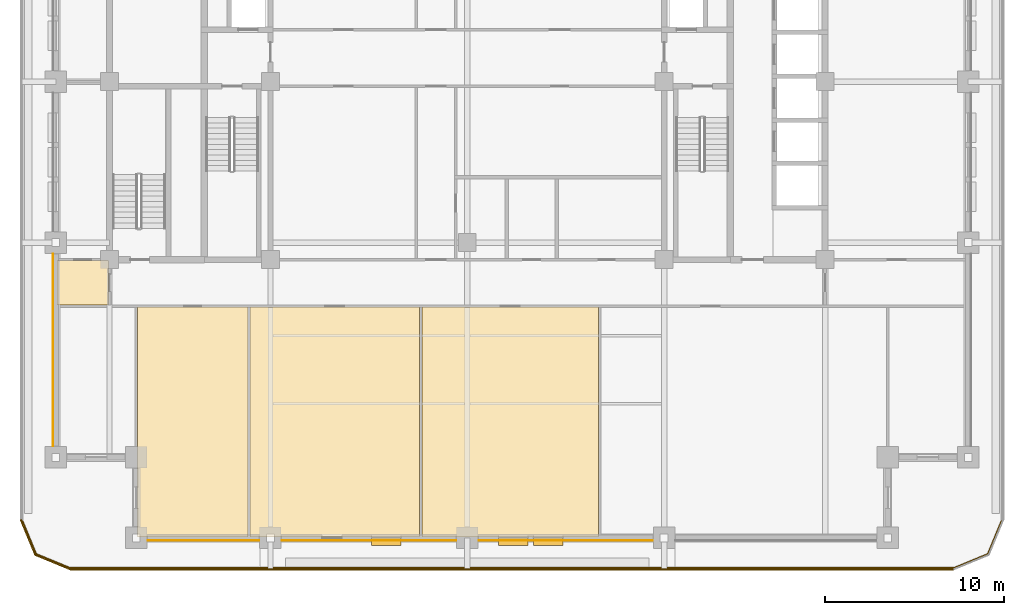
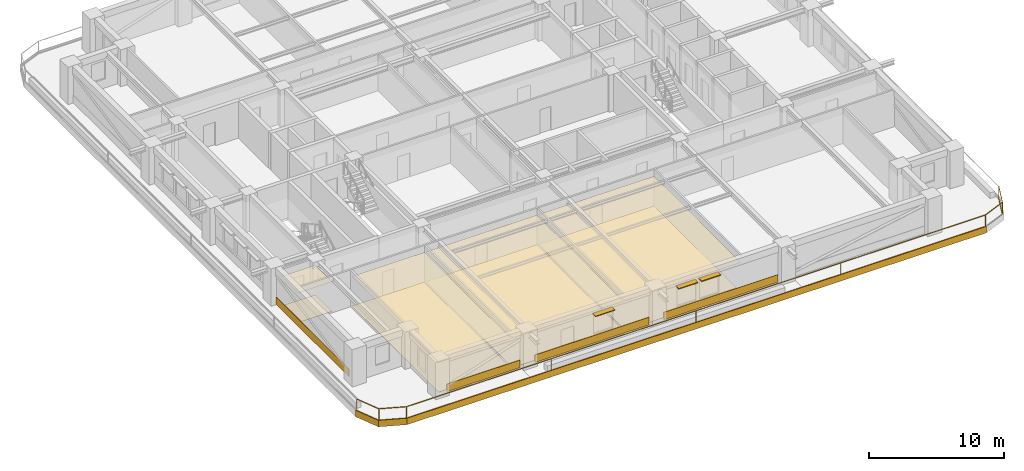
# One storey, part 7 of 13: 15 coverings, 3 shading devices, 1 railing.
"""IFC4 building model written with IfcOpenShell, lengths in metres."""

from ifc_helpers import new_model, si_unit, direction, frame, frame_2d, origin, origin_2d, place, context, subcontext, project, spatial, polyline, rectangle, outline, extrude, material, layer, layer_set, type_object, element, save


model = new_model("IFC4")

# Units and contexts
model_context = context("Model", 3, precision=1e-05, world=origin(), true_north=direction((0.0, 1.0)))
body_context = subcontext(model_context, "Body", "Model", "MODEL_VIEW")
ifc_project = project(units=[si_unit("LENGTHUNIT", "METRE"), si_unit("AREAUNIT", "SQUARE_METRE"), si_unit("VOLUMEUNIT", "CUBIC_METRE"), si_unit("PLANEANGLEUNIT", "RADIAN"), si_unit("MASSUNIT", "GRAM", prefix="KILO")], contexts=[model_context])

# Site, building, storey
site_placement = place(None, origin())
site = spatial("IfcSite", under=ifc_project, at=site_placement, CompositionType="ELEMENT")
building_placement = place(site_placement, origin())
building = spatial("IfcBuilding", under=site, at=building_placement, Name="Zulmaris Gate Convention Tower", CompositionType="ELEMENT")
storey_placement = place(building_placement, frame((0.0, 0.0, 91.35986328125)))
storey = spatial("IfcBuildingStorey", under=building, at=storey_placement, Name="L22", CompositionType="ELEMENT", Elevation=91.35986328125)

# Coverings
ifc_material_1 = material(Name="Precast concrete C40/50", Category="concrete")
ifc_layer_1 = layer(ifc_material_1, 0.0400390625, Name="Precast concrete C40/50")
ifc_layer_set_1 = layer_set([ifc_layer_1], Name="Precast concrete C40/50")
covering_type_1 = type_object("IfcCoveringType", Name="CLAD-SPANDREL-PRECAST", PredefinedType="CLADDING", material=ifc_layer_set_1)
covering_1_placement = place(storey_placement, frame((-17.8701171875, -25.64990234375, 0.0), z_axis=(0.0, 0.0, 1.0), x_axis=(1.0, 0.0, 0.0)))
element("IfcCovering", 1, at=covering_1_placement, inside=storey, type_object=covering_type_1, Name="CLD-L22-S-0_0", PredefinedType="CLADDING", context=body_context, shape_type="SweptSolid", body=[
    extrude(rectangle(XDim=6.240234375, YDim=0.0400390625, at=frame_2d((3.1201171875, 0.0))), origin(), (0.0, 0.0, 1.0), 0.679931640625),
])
for number, where, z_axis, x_axis, name in (
    (2, (-10.3701171875, -25.64990234375, 0.0), (0.0, 0.0, 1.0), (1.0, 0.0, 0.0), "CLD-L22-S-1_0"),
    (3, (0.6298828125, -25.64990234375, 0.0), (0.0, 0.0, 1.0), (1.0, 0.0, 0.0), "CLD-L22-S-2_0"),
):
    element("IfcCovering", number, at=place(storey_placement, frame(where, z_axis=z_axis, x_axis=x_axis)), inside=storey, type_object=covering_type_1, Name=name, PredefinedType="CLADDING", context=body_context, shape_type="SweptSolid", body=[
        extrude(rectangle(XDim=9.740234375, YDim=0.0400390625, at=frame_2d((4.8701171875, 0.0))), origin(), (0.0, 0.0, 1.0), 0.679931640625),
    ])
covering_2_placement = place(storey_placement, frame((-23.14990234375, -9.6298828125, 0.0), z_axis=(0.0, 0.0, 1.0), x_axis=(0.0, -1.0, 0.0)))
element("IfcCovering", 4, at=covering_2_placement, inside=storey, type_object=covering_type_1, Name="CLD-L22-W-0_0", PredefinedType="CLADDING", context=body_context, shape_type="SweptSolid", body=[
    extrude(rectangle(XDim=10.740234375, YDim=0.0400390625, at=frame_2d((5.3701171875, 0.0))), origin(), (0.0, 0.0, 1.0), 0.679931640625),
])
ifc_material_2 = material(Name="White Glazed Architectural Precast Concrete C40/50", Category="concrete")
ifc_layer_2 = layer(ifc_material_2, 0.080078125, Name="White Glazed Architectural Precast Concrete C40/50")
ifc_layer_set_2 = layer_set([ifc_layer_2], Name="White Glazed Architectural Precast Concrete C40/50")
covering_type_2 = type_object("IfcCoveringType", Name="CLAD-TRAY-FASCIA", PredefinedType="CLADDING", material=ifc_layer_set_2)
covering_3_placement = place(storey_placement, frame((-24.962890625, -24.484619140625, -0.46484375), z_axis=(0.0, 0.0, 1.0), x_axis=(0.382656984709, -0.923890487046, 0.0)))
element("IfcCovering", 5, at=covering_3_placement, inside=storey, type_object=covering_type_2, Name="FSC-L22-TR-00", PredefinedType="CLADDING", context=body_context, shape_type="SweptSolid", body=[
    extrude(rectangle(XDim=2.14306640625, YDim=0.080078125, at=frame_2d((1.071533203125, 0.0))), origin(), (0.0, 0.0, 1.0), 0.5849609375),
])
covering_4_placement = place(storey_placement, frame((-24.16455078125, -26.44287109375, -0.46484375), z_axis=(0.0, 0.0, 1.0), x_axis=(0.923873803533, -0.382697263049, 0.0)))
element("IfcCovering", 6, at=covering_4_placement, inside=storey, type_object=covering_type_2, Name="FSC-L22-TR-01", PredefinedType="CLADDING", context=body_context, shape_type="SweptSolid", body=[
    extrude(rectangle(XDim=2.142822265625, YDim=0.080078125, at=frame_2d((1.0712890625, 0.0))), origin(), (0.0, 0.0, 1.0), 0.5849609375),
])
covering_5_placement = place(storey_placement, frame((-22.199951171875, -27.260009765625, -0.46484375), z_axis=(0.0, 0.0, 1.0), x_axis=(1.0, 0.0, 0.0)))
element("IfcCovering", 7, at=covering_5_placement, inside=storey, type_object=covering_type_2, Name="FSC-L22-TR-02", PredefinedType="CLADDING", context=body_context, shape_type="SweptSolid", body=[
    extrude(rectangle(XDim=49.39990234375, YDim=0.080078125, at=frame_2d((24.699951171875, 0.0))), origin(), (0.0, 0.0, 1.0), 0.5849609375),
])
ifc_material_3 = material(Name="Mineral Fibre Acoustic Ceiling Tile")
ifc_layer_3 = layer(ifc_material_3, 0.02001953125, Name="Mineral Fibre Acoustic Ceiling Tile")
ifc_layer_set_3 = layer_set([ifc_layer_3], Name="Mineral Fibre Acoustic Ceiling Tile")
covering_type_3 = type_object("IfcCoveringType", Name="CLG-ACOUSTIC-600", PredefinedType="CEILING", material=ifc_layer_set_3)
covering_6_placement = place(storey_placement, frame((0.0, 0.0, 2.679931640625)))
element("IfcCovering", 8, at=covering_6_placement, inside=storey, type_object=covering_type_3, Name="CLG-L22-R33", PredefinedType="CEILING", context=body_context, shape_type="SweptSolid", body=[
    extrude(outline(polyline([(-18.43994140625, -25.43994140625), (-12.260009765625, -25.43994140625), (-12.260009765625, -12.610107421875), (-18.43994140625, -12.610107421875), (-18.43994140625, -25.43994140625)])), origin(), (0.0, 0.0, 1.0), 0.02001953125),
])
covering_7_placement = place(storey_placement, frame((0.0, 0.0, 2.679931640625)))
element("IfcCovering", 9, at=covering_7_placement, inside=storey, type_object=covering_type_3, Name="CLG-L22-R34", PredefinedType="CEILING", context=body_context, shape_type="SweptSolid", body=[
    extrude(outline(polyline([(-12.139892578125, -25.43994140625), (-2.659912109375, -25.43994140625), (-2.659912109375, -12.610107421875), (-12.139892578125, -12.610107421875), (-12.139892578125, -25.43994140625)])), origin(), (0.0, 0.0, 1.0), 0.02001953125),
])
covering_8_placement = place(storey_placement, frame((0.0, 0.0, 2.679931640625)))
element("IfcCovering", 10, at=covering_8_placement, inside=storey, type_object=covering_type_3, Name="CLG-L22-R35", PredefinedType="CEILING", context=body_context, shape_type="SweptSolid", body=[
    extrude(outline(polyline([(-2.5400390625, -25.43994140625), (7.340087890625, -25.43994140625), (7.340087890625, -12.610107421875), (-2.5400390625, -12.610107421875), (-2.5400390625, -25.43994140625)])), origin(), (0.0, 0.0, 1.0), 0.02001953125),
])
covering_9_placement = place(storey_placement, frame((0.0, 0.0, 2.679931640625)))
element("IfcCovering", 11, at=covering_9_placement, inside=storey, type_object=covering_type_3, Name="CLG-L22-R45", PredefinedType="CEILING", context=body_context, shape_type="SweptSolid", body=[
    extrude(outline(polyline([(-22.93994140625, -12.489990234375), (-20.06005859375, -12.489990234375), (-20.06005859375, -10.010009765625), (-22.93994140625, -10.010009765625), (-22.93994140625, -12.489990234375)])), origin(), (0.0, 0.0, 1.0), 0.02001953125),
])
ifc_material_4 = material(Name="Woven Acoustic Wool Carpet Tile")
ifc_layer_4 = layer(ifc_material_4, 0.02001953125, Name="Woven Acoustic Wool Carpet Tile")
ifc_layer_set_4 = layer_set([ifc_layer_4], Name="Woven Acoustic Wool Carpet Tile")
covering_type_4 = type_object("IfcCoveringType", Name="FLR-CARPET-12", PredefinedType="FLOORING", material=ifc_layer_set_4)
covering_10_placement = place(storey_placement, origin())
element("IfcCovering", 12, at=covering_10_placement, inside=storey, type_object=covering_type_4, Name="FLR-L22-R34", PredefinedType="FLOORING", context=body_context, shape_type="SweptSolid", body=[
    extrude(outline(polyline([(-12.139892578125, -25.43994140625), (-2.659912109375, -25.43994140625), (-2.659912109375, -12.610107421875), (-12.139892578125, -12.610107421875), (-12.139892578125, -25.43994140625)])), origin(), (0.0, 0.0, 1.0), 0.02001953125),
])
covering_11_placement = place(storey_placement, origin())
element("IfcCovering", 13, at=covering_11_placement, inside=storey, type_object=covering_type_4, Name="FLR-L22-R35", PredefinedType="FLOORING", context=body_context, shape_type="SweptSolid", body=[
    extrude(outline(polyline([(-2.5400390625, -25.43994140625), (7.340087890625, -25.43994140625), (7.340087890625, -12.610107421875), (-2.5400390625, -12.610107421875), (-2.5400390625, -25.43994140625)])), origin(), (0.0, 0.0, 1.0), 0.02001953125),
])
covering_12_placement = place(storey_placement, origin())
element("IfcCovering", 14, at=covering_12_placement, inside=storey, type_object=covering_type_4, Name="FLR-L22-R45", PredefinedType="FLOORING", context=body_context, shape_type="SweptSolid", body=[
    extrude(outline(polyline([(-22.93994140625, -12.489990234375), (-20.06005859375, -12.489990234375), (-20.06005859375, -10.010009765625), (-22.93994140625, -10.010009765625), (-22.93994140625, -12.489990234375)])), origin(), (0.0, 0.0, 1.0), 0.02001953125),
])
ifc_material_5 = material(Name="Engineered Teak Parquet Flooring")
ifc_layer_5 = layer(ifc_material_5, 0.02001953125, Name="Engineered Teak Parquet Flooring")
ifc_layer_set_5 = layer_set([ifc_layer_5], Name="Engineered Teak Parquet Flooring")
covering_type_5 = type_object("IfcCoveringType", Name="FLR-TIMBER-18", PredefinedType="FLOORING", material=ifc_layer_set_5)
covering_13_placement = place(storey_placement, origin())
element("IfcCovering", 15, at=covering_13_placement, inside=storey, type_object=covering_type_5, Name="FLR-L22-R33", PredefinedType="FLOORING", context=body_context, shape_type="SweptSolid", body=[
    extrude(outline(polyline([(-18.43994140625, -25.43994140625), (-12.260009765625, -25.43994140625), (-12.260009765625, -12.610107421875), (-18.43994140625, -12.610107421875), (-18.43994140625, -25.43994140625)])), origin(), (0.0, 0.0, 1.0), 0.02001953125),
])

# Railing
ifc_material_6 = material(Name="Laminated Glass and Stainless Steel", Category="steel")
railing_type = type_object("IfcRailingType", Name="RL-BALC-1150", PredefinedType="BALUSTRADE", material=ifc_material_6)
railing_placement = place(storey_placement, frame((-24.8798828125, -24.5, -0.0400390625)))
element("IfcRailing", 16, at=railing_placement, inside=storey, type_object=railing_type, Name="RL-L22-BALC-S", PredefinedType="BALUSTRADE", context=body_context, shape_type="SweptSolid", body=[
    extrude(rectangle(XDim=0.048095703125, YDim=0.048095703125, at=origin_2d()), frame((0.0, 0.0, 1.1259765625), z_axis=(0.382670664694, -0.92388482095, 0.0), x_axis=(0.92388482095, 0.382670664694, 0.0)), (0.0, 0.0, 1.0), 2.051025390625),
    extrude(rectangle(XDim=0.048095703125, YDim=0.048095703125, at=origin_2d()), frame((0.0, 0.0, 0.02392578125), z_axis=(0.382670664694, -0.92388482095, 0.0), x_axis=(0.92388482095, 0.382670664694, 0.0)), (0.0, 0.0, 1.0), 2.051025390625),
    extrude(rectangle(XDim=0.048095703125, YDim=0.048095703125, at=origin_2d()), frame((0.784912109375, -1.89501953125, 1.1259765625), z_axis=(0.92388482095, -0.382670664694, 0.0), x_axis=(0.382670664694, 0.92388482095, 0.0)), (0.0, 0.0, 1.0), 2.051025390625),
    extrude(rectangle(XDim=0.048095703125, YDim=0.048095703125, at=origin_2d()), frame((0.784912109375, -1.89501953125, 0.02392578125), z_axis=(0.92388482095, -0.382670664694, 0.0), x_axis=(0.382670664694, 0.92388482095, 0.0)), (0.0, 0.0, 1.0), 2.051025390625),
    extrude(rectangle(XDim=0.048095703125, YDim=0.048095703125, at=origin_2d()), frame((2.679931640625, -2.679931640625, 1.1259765625), z_axis=(1.0, 0.0, 0.0), x_axis=(0.0, 1.0, 0.0)), (0.0, 0.0, 1.0), 49.39990234375),
    extrude(rectangle(XDim=0.048095703125, YDim=0.048095703125, at=origin_2d()), frame((2.679931640625, -2.679931640625, 0.02392578125), z_axis=(1.0, 0.0, 0.0), x_axis=(0.0, 1.0, 0.0)), (0.0, 0.0, 1.0), 49.39990234375),
    extrude(rectangle(XDim=0.048095703125, YDim=0.048095703125, at=origin_2d()), frame((52.079833984375, -2.679931640625, 1.1259765625), z_axis=(0.92388482095, 0.382670664694, 0.0), x_axis=(-0.382670664694, 0.92388482095, 0.0)), (0.0, 0.0, 1.0), 2.051025390625),
    extrude(rectangle(XDim=0.048095703125, YDim=0.048095703125, at=origin_2d()), frame((52.079833984375, -2.679931640625, 0.02392578125), z_axis=(0.92388482095, 0.382670664694, 0.0), x_axis=(-0.382670664694, 0.92388482095, 0.0)), (0.0, 0.0, 1.0), 2.051025390625),
    extrude(rectangle(XDim=0.048095703125, YDim=0.048095703125, at=origin_2d()), frame((53.974853515625, -1.89501953125, 1.1259765625), z_axis=(0.382670664694, 0.92388482095, 0.0), x_axis=(-0.92388482095, 0.382670664694, 0.0)), (0.0, 0.0, 1.0), 2.051025390625),
    extrude(rectangle(XDim=0.048095703125, YDim=0.048095703125, at=origin_2d()), frame((53.974853515625, -1.89501953125, 0.02392578125), z_axis=(0.382670664694, 0.92388482095, 0.0), x_axis=(-0.92388482095, 0.382670664694, 0.0)), (0.0, 0.0, 1.0), 2.051025390625),
    extrude(rectangle(XDim=0.0419921875, YDim=0.0419921875, at=origin_2d()), origin(), (0.0, 0.0, 1.0), 1.101806640625),
    extrude(rectangle(XDim=0.0419921875, YDim=0.0419921875, at=origin_2d()), frame((0.784912109375, -1.89501953125, 0.0)), (0.0, 0.0, 1.0), 1.101806640625),
    extrude(rectangle(XDim=0.0419921875, YDim=0.0419921875, at=origin_2d()), frame((2.679931640625, -2.679931640625, 0.0)), (0.0, 0.0, 1.0), 1.101806640625),
    extrude(rectangle(XDim=0.0419921875, YDim=0.0419921875, at=origin_2d()), frame((15.02978515625, -2.679931640625, 0.0)), (0.0, 0.0, 1.0), 1.101806640625),
    extrude(rectangle(XDim=0.0419921875, YDim=0.0419921875, at=origin_2d()), frame((27.3798828125, -2.679931640625, 0.0)), (0.0, 0.0, 1.0), 1.101806640625),
    extrude(rectangle(XDim=0.0419921875, YDim=0.0419921875, at=origin_2d()), frame((39.72998046875, -2.679931640625, 0.0)), (0.0, 0.0, 1.0), 1.101806640625),
    extrude(rectangle(XDim=0.0419921875, YDim=0.0419921875, at=origin_2d()), frame((52.079833984375, -2.679931640625, 0.0)), (0.0, 0.0, 1.0), 1.101806640625),
    extrude(rectangle(XDim=0.0419921875, YDim=0.0419921875, at=origin_2d()), frame((53.974853515625, -1.89501953125, 0.0)), (0.0, 0.0, 1.0), 1.101806640625),
    extrude(rectangle(XDim=0.0419921875, YDim=0.0419921875, at=origin_2d()), frame((54.759765625, 0.0, 0.0)), (0.0, 0.0, 1.0), 1.101806640625),
])

# Shading devices
ifc_material_7 = material(Name="Glazed Ceramic Terracotta", Category="masonry")
ifc_layer_6 = layer(ifc_material_7, 0.070068359375, Name="Glazed Ceramic Terracotta")
ifc_layer_set_6 = layer_set([ifc_layer_6], Name="Glazed Ceramic Terracotta")
shading_device_type = type_object("IfcShadingDeviceType", Name="SHD-SUNSHADE-TC", PredefinedType="AWNING", material=ifc_layer_set_6)
for number, where, z_axis, x_axis, name in (
    (17, (-5.35107421875, -25.719970703125, 2.530029296875), (0.0, 0.0, 1.0), (1.0, 0.0, 0.0), "SHD-EW-L22-S-1_0-3"),
    (18, (1.7529296875, -25.719970703125, 2.530029296875), (0.0, 0.0, 1.0), (1.0, 0.0, 0.0), "SHD-EW-L22-S-2_0-1"),
    (19, (3.700927734375, -25.719970703125, 2.530029296875), (0.0, 0.0, 1.0), (1.0, 0.0, 0.0), "SHD-EW-L22-S-2_0-2"),
):
    element("IfcShadingDevice", number, at=place(storey_placement, frame(where, z_axis=z_axis, x_axis=x_axis)), inside=storey, type_object=shading_device_type, Name=name, PredefinedType="AWNING", context=body_context, shape_type="SweptSolid", body=[
        extrude(rectangle(XDim=1.650146484375, YDim=0.43994140625, at=frame_2d((0.8251953125, 0.0))), origin(), (0.0, 0.0, 1.0), 0.070068359375),
    ])

save(model, "model.ifc")
